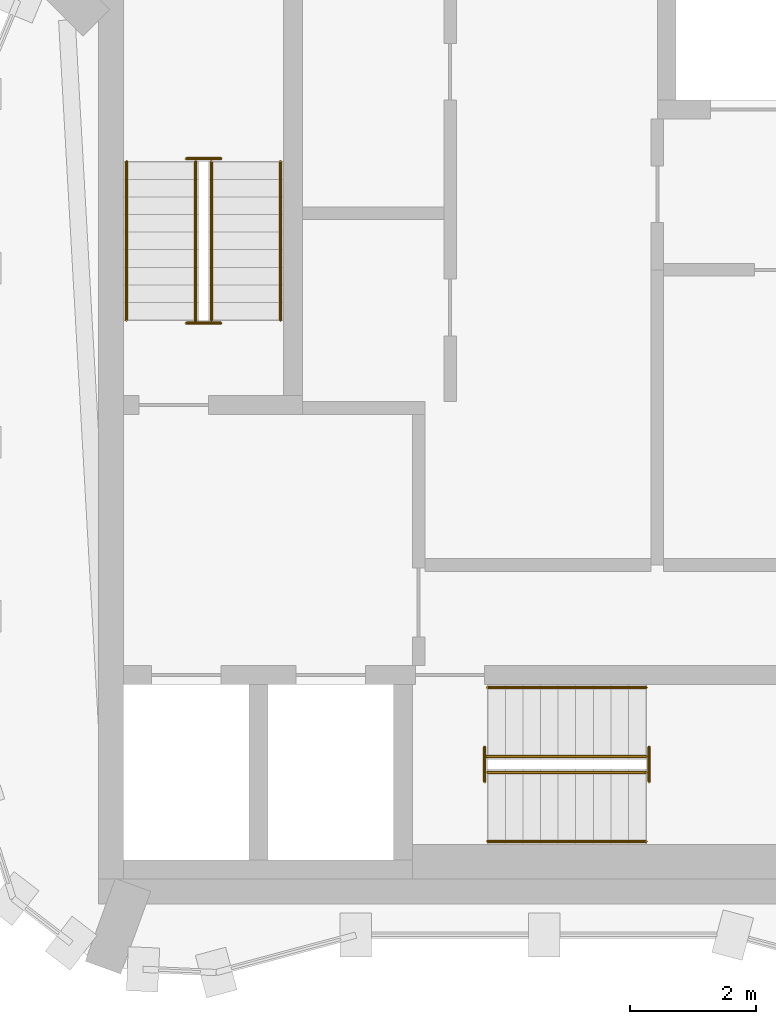
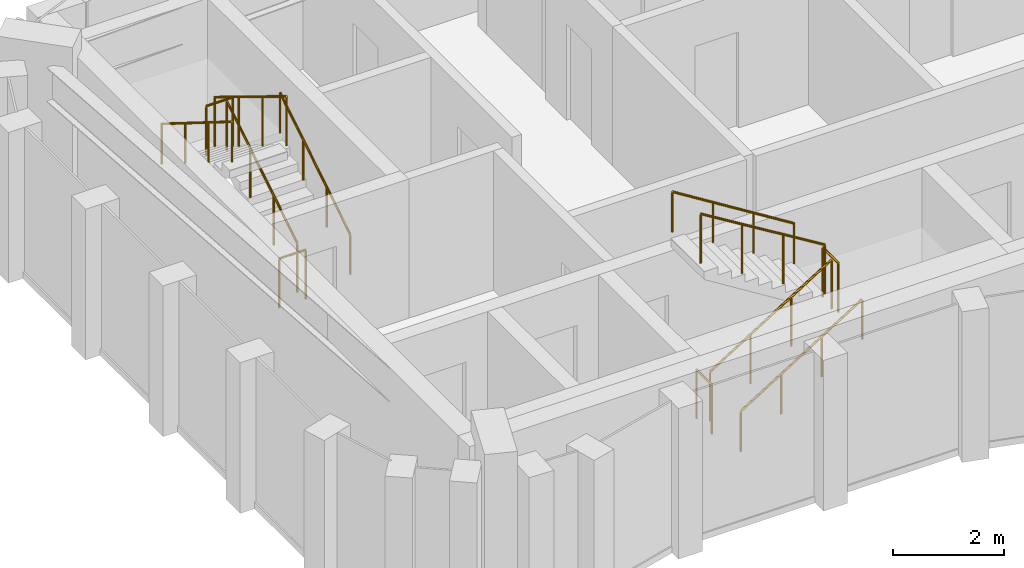
# One storey, part 5 of 5: 12 railings.
"""IFC4 building model written with IfcOpenShell, lengths in metres."""

from ifc_helpers import new_model, si_unit, direction, frame, origin, origin_2d, place, context, subcontext, project, spatial, circle, extrude, material, type_object, element, save


model = new_model("IFC4")

# Units and contexts
model_context = context("Model", 3, precision=1e-05, world=origin(), true_north=direction((0.0, 1.0)))
body_context = subcontext(model_context, "Body", "Model", "MODEL_VIEW")
ifc_project = project(units=[si_unit("LENGTHUNIT", "METRE"), si_unit("AREAUNIT", "SQUARE_METRE"), si_unit("VOLUMEUNIT", "CUBIC_METRE"), si_unit("PLANEANGLEUNIT", "RADIAN"), si_unit("MASSUNIT", "GRAM", prefix="KILO")], contexts=[model_context])

# Site, building, storey
site_placement = place(None, origin())
site = spatial("IfcSite", under=ifc_project, at=site_placement, CompositionType="ELEMENT")
building_placement = place(site_placement, origin())
building = spatial("IfcBuilding", under=site, at=building_placement, Name="Plateau Cross Towers", CompositionType="ELEMENT")
storey_placement = place(building_placement, frame((0.0, 0.0, 298.39990234375)))
storey = spatial("IfcBuildingStorey", under=building, at=storey_placement, Name="L79 Crown 2", CompositionType="ELEMENT", Elevation=298.39990234375)

# Railings
ifc_material_1 = material(Name="Stainless steel and toughened glass", Category="steel")
railing_type_1 = type_object("IfcRailingType", Name="RL-GUARD-1100", PredefinedType="GUARDRAIL", material=ifc_material_1)
railing_1_placement = place(storey_placement, frame((3.699951171875, 11.39990234375, 0.175048828125)))
element("IfcRailing", 1, at=railing_1_placement, inside=storey, type_object=railing_type_1, Name="L79 Crown 2 ST-1 stair guard 1", PredefinedType="GUARDRAIL", context=body_context, shape_type="SweptSolid", body=[
    extrude(circle(Radius=0.02392578125, at=origin_2d()), frame((0.0, 0.0, 1.076171875), z_axis=(0.0, 0.848007534815, 0.529984170421), x_axis=(-1.0, 0.0, 0.0)), (0.0, 0.0, 1.0), 2.9716796875),
    extrude(circle(Radius=0.02099609375, at=origin_2d()), origin(), (0.0, 0.0, 1.0), 1.052001953125),
    extrude(circle(Radius=0.02099609375, at=origin_2d()), frame((0.0, 0.840087890625, 0.52490234375)), (0.0, 0.0, 1.0), 1.052001953125),
    extrude(circle(Radius=0.02099609375, at=origin_2d()), frame((0.0, 1.679931640625, 1.050048828125)), (0.0, 0.0, 1.0), 1.052001953125),
    extrude(circle(Radius=0.02099609375, at=origin_2d()), frame((0.0, 2.52001953125, 1.574951171875)), (0.0, 0.0, 1.0), 1.052001953125),
])
railing_2_placement = place(storey_placement, frame((3.85009765625, 13.969970703125, 1.75)))
element("IfcRailing", 2, at=railing_2_placement, inside=storey, type_object=railing_type_1, Name="L79 Crown 2 ST-1 stair guard 2", PredefinedType="GUARDRAIL", context=body_context, shape_type="SweptSolid", body=[
    extrude(circle(Radius=0.02392578125, at=origin_2d()), frame((0.0, 0.0, 1.076171875), z_axis=(-1.0, 0.0, 0.0), x_axis=(0.0, -1.0, 0.0)), (0.0, 0.0, 1.0), 0.550048828125),
    extrude(circle(Radius=0.02099609375, at=origin_2d()), origin(), (0.0, 0.0, 1.0), 1.052001953125),
    extrude(circle(Radius=0.02099609375, at=origin_2d()), frame((-0.550048828125, 0.0, 0.0)), (0.0, 0.0, 1.0), 1.052001953125),
])
railing_3_placement = place(storey_placement, frame((3.449951171875, 13.919921875, 1.925048828125)))
element("IfcRailing", 3, at=railing_3_placement, inside=storey, type_object=railing_type_1, Name="L79 Crown 2 ST-1 stair guard 3", PredefinedType="GUARDRAIL", context=body_context, shape_type="SweptSolid", body=[
    extrude(circle(Radius=0.02392578125, at=origin_2d()), frame((0.0, 0.0, 1.076171875), z_axis=(0.0, -0.852616386126, 0.522537365276), x_axis=(1.0, 0.0, 0.0)), (0.0, 0.0, 1.0), 3.01416015625),
    extrude(circle(Radius=0.02099609375, at=origin_2d()), origin(), (0.0, 0.0, 1.0), 1.052001953125),
    extrude(circle(Radius=0.02099609375, at=origin_2d()), frame((0.0, -0.856689453125, 0.52490234375)), (0.0, 0.0, 1.0), 1.052001953125),
    extrude(circle(Radius=0.02099609375, at=origin_2d()), frame((0.0, -1.713134765625, 1.050048828125)), (0.0, 0.0, 1.0), 1.052001953125),
    extrude(circle(Radius=0.02099609375, at=origin_2d()), frame((0.0, -2.56982421875, 1.574951171875)), (0.0, 0.0, 1.0), 1.052001953125),
])
railing_4_placement = place(storey_placement, frame((3.85009765625, 11.35009765625, 0.0)))
element("IfcRailing", 4, at=railing_4_placement, inside=storey, type_object=railing_type_1, Name="L79 Crown 2 ST-1 stair guard 4", PredefinedType="GUARDRAIL", context=body_context, shape_type="SweptSolid", body=[
    extrude(circle(Radius=0.02392578125, at=origin_2d()), frame((0.0, 0.0, 1.076171875), z_axis=(-1.0, 0.0, 0.0), x_axis=(0.0, -1.0, 0.0)), (0.0, 0.0, 1.0), 0.550048828125),
    extrude(circle(Radius=0.02099609375, at=origin_2d()), origin(), (0.0, 0.0, 1.0), 1.052001953125),
    extrude(circle(Radius=0.02099609375, at=origin_2d()), frame((-0.550048828125, 0.0, 0.0)), (0.0, 0.0, 1.0), 1.052001953125),
])
railing_5_placement = place(storey_placement, frame((8.10009765625, 4.199951171875, 0.175048828125)))
element("IfcRailing", 5, at=railing_5_placement, inside=storey, type_object=railing_type_1, Name="L79 Crown 2 ST-2 stair guard 1", PredefinedType="GUARDRAIL", context=body_context, shape_type="SweptSolid", body=[
    extrude(circle(Radius=0.02392578125, at=origin_2d()), frame((0.0, 0.0, 1.076171875), z_axis=(0.848007534815, 0.0, 0.529984170421), x_axis=(0.0, 1.0, 0.0)), (0.0, 0.0, 1.0), 2.9716796875),
    extrude(circle(Radius=0.02099609375, at=origin_2d()), origin(), (0.0, 0.0, 1.0), 1.052001953125),
    extrude(circle(Radius=0.02099609375, at=origin_2d()), frame((0.840087890625, 0.0, 0.52490234375)), (0.0, 0.0, 1.0), 1.052001953125),
    extrude(circle(Radius=0.02099609375, at=origin_2d()), frame((1.679931640625, 0.0, 1.050048828125)), (0.0, 0.0, 1.0), 1.052001953125),
    extrude(circle(Radius=0.02099609375, at=origin_2d()), frame((2.52001953125, 0.0, 1.574951171875)), (0.0, 0.0, 1.0), 1.052001953125),
])
railing_6_placement = place(storey_placement, frame((10.669921875, 4.050048828125, 1.75)))
element("IfcRailing", 6, at=railing_6_placement, inside=storey, type_object=railing_type_1, Name="L79 Crown 2 ST-2 stair guard 2", PredefinedType="GUARDRAIL", context=body_context, shape_type="SweptSolid", body=[
    extrude(circle(Radius=0.02392578125, at=origin_2d()), frame((0.0, 0.0, 1.076171875), z_axis=(0.0, 1.0, 0.0), x_axis=(-1.0, 0.0, 0.0)), (0.0, 0.0, 1.0), 0.550048828125),
    extrude(circle(Radius=0.02099609375, at=origin_2d()), origin(), (0.0, 0.0, 1.0), 1.052001953125),
    extrude(circle(Radius=0.02099609375, at=origin_2d()), frame((0.0, 0.550048828125, 0.0)), (0.0, 0.0, 1.0), 1.052001953125),
])
railing_7_placement = place(storey_placement, frame((10.6201171875, 4.449951171875, 1.925048828125)))
element("IfcRailing", 7, at=railing_7_placement, inside=storey, type_object=railing_type_1, Name="L79 Crown 2 ST-2 stair guard 3", PredefinedType="GUARDRAIL", context=body_context, shape_type="SweptSolid", body=[
    extrude(circle(Radius=0.02392578125, at=origin_2d()), frame((0.0, 0.0, 1.076171875), z_axis=(-0.852638500773, 0.0, 0.522501279423), x_axis=(0.0, -1.0, 0.0)), (0.0, 0.0, 1.0), 3.01416015625),
    extrude(circle(Radius=0.02099609375, at=origin_2d()), origin(), (0.0, 0.0, 1.0), 1.052001953125),
    extrude(circle(Radius=0.02099609375, at=origin_2d()), frame((-0.856689453125, 0.0, 0.52490234375)), (0.0, 0.0, 1.0), 1.052001953125),
    extrude(circle(Radius=0.02099609375, at=origin_2d()), frame((-1.71337890625, 0.0, 1.050048828125)), (0.0, 0.0, 1.0), 1.052001953125),
    extrude(circle(Radius=0.02099609375, at=origin_2d()), frame((-2.570068359375, 0.0, 1.574951171875)), (0.0, 0.0, 1.0), 1.052001953125),
])
railing_8_placement = place(storey_placement, frame((8.050048828125, 4.050048828125, 0.0)))
element("IfcRailing", 8, at=railing_8_placement, inside=storey, type_object=railing_type_1, Name="L79 Crown 2 ST-2 stair guard 4", PredefinedType="GUARDRAIL", context=body_context, shape_type="SweptSolid", body=[
    extrude(circle(Radius=0.02392578125, at=origin_2d()), frame((0.0, 0.0, 1.076171875), z_axis=(0.0, 1.0, 0.0), x_axis=(-1.0, 0.0, 0.0)), (0.0, 0.0, 1.0), 0.550048828125),
    extrude(circle(Radius=0.02099609375, at=origin_2d()), origin(), (0.0, 0.0, 1.0), 1.052001953125),
    extrude(circle(Radius=0.02099609375, at=origin_2d()), frame((0.0, 0.550048828125, 0.0)), (0.0, 0.0, 1.0), 1.052001953125),
])
ifc_material_2 = material(Name="Black anodised aluminium", Category="aluminium")
railing_type_2 = type_object("IfcRailingType", Name="RL-HANDRAIL-900", PredefinedType="HANDRAIL", material=ifc_material_2)
railing_9_placement = place(storey_placement, frame((4.800048828125, 11.39990234375, 0.175048828125)))
element("IfcRailing", 9, at=railing_9_placement, inside=storey, type_object=railing_type_2, Name="L79 Crown 2 ST-1 stair handrail 1", PredefinedType="HANDRAIL", context=body_context, shape_type="SweptSolid", body=[
    extrude(circle(Radius=0.02392578125, at=origin_2d()), frame((0.0, 0.0, 0.8759765625), z_axis=(0.0, 0.848007534815, 0.529984170421), x_axis=(-1.0, 0.0, 0.0)), (0.0, 0.0, 1.0), 2.9716796875),
    extrude(circle(Radius=0.02099609375, at=origin_2d()), origin(), (0.0, 0.0, 1.0), 0.851806640625),
    extrude(circle(Radius=0.02099609375, at=origin_2d()), frame((0.0, 0.840087890625, 0.52490234375)), (0.0, 0.0, 1.0), 0.851806640625),
    extrude(circle(Radius=0.02099609375, at=origin_2d()), frame((0.0, 1.679931640625, 1.050048828125)), (0.0, 0.0, 1.0), 0.851806640625),
    extrude(circle(Radius=0.02099609375, at=origin_2d()), frame((0.0, 2.52001953125, 1.574951171875)), (0.0, 0.0, 1.0), 0.851806640625),
])
railing_10_placement = place(storey_placement, frame((2.35009765625, 13.919921875, 1.925048828125)))
element("IfcRailing", 10, at=railing_10_placement, inside=storey, type_object=railing_type_2, Name="L79 Crown 2 ST-1 stair handrail 2", PredefinedType="HANDRAIL", context=body_context, shape_type="SweptSolid", body=[
    extrude(circle(Radius=0.02392578125, at=origin_2d()), frame((0.0, 0.0, 0.8759765625), z_axis=(0.0, -0.848007534815, 0.529984170421), x_axis=(1.0, 0.0, 0.0)), (0.0, 0.0, 1.0), 2.9716796875),
    extrude(circle(Radius=0.02099609375, at=origin_2d()), origin(), (0.0, 0.0, 1.0), 0.851806640625),
    extrude(circle(Radius=0.02099609375, at=origin_2d()), frame((0.0, -0.840087890625, 0.52490234375)), (0.0, 0.0, 1.0), 0.851806640625),
    extrude(circle(Radius=0.02099609375, at=origin_2d()), frame((0.0, -1.679931640625, 1.050048828125)), (0.0, 0.0, 1.0), 0.851806640625),
    extrude(circle(Radius=0.02099609375, at=origin_2d()), frame((0.0, -2.52001953125, 1.574951171875)), (0.0, 0.0, 1.0), 0.851806640625),
])
railing_11_placement = place(storey_placement, frame((8.10009765625, 3.10009765625, 0.175048828125)))
element("IfcRailing", 11, at=railing_11_placement, inside=storey, type_object=railing_type_2, Name="L79 Crown 2 ST-2 stair handrail 1", PredefinedType="HANDRAIL", context=body_context, shape_type="SweptSolid", body=[
    extrude(circle(Radius=0.02392578125, at=origin_2d()), frame((0.0, 0.0, 0.8759765625), z_axis=(0.848007534815, 0.0, 0.529984170421), x_axis=(0.0, 1.0, 0.0)), (0.0, 0.0, 1.0), 2.9716796875),
    extrude(circle(Radius=0.02099609375, at=origin_2d()), origin(), (0.0, 0.0, 1.0), 0.851806640625),
    extrude(circle(Radius=0.02099609375, at=origin_2d()), frame((0.840087890625, 0.0, 0.52490234375)), (0.0, 0.0, 1.0), 0.851806640625),
    extrude(circle(Radius=0.02099609375, at=origin_2d()), frame((1.679931640625, 0.0, 1.050048828125)), (0.0, 0.0, 1.0), 0.851806640625),
    extrude(circle(Radius=0.02099609375, at=origin_2d()), frame((2.52001953125, 0.0, 1.574951171875)), (0.0, 0.0, 1.0), 0.851806640625),
])
railing_12_placement = place(storey_placement, frame((10.6201171875, 5.550048828125, 1.925048828125)))
element("IfcRailing", 12, at=railing_12_placement, inside=storey, type_object=railing_type_2, Name="L79 Crown 2 ST-2 stair handrail 2", PredefinedType="HANDRAIL", context=body_context, shape_type="SweptSolid", body=[
    extrude(circle(Radius=0.02392578125, at=origin_2d()), frame((0.0, 0.0, 0.8759765625), z_axis=(-0.848007534815, 0.0, 0.529984170421), x_axis=(0.0, -1.0, 0.0)), (0.0, 0.0, 1.0), 2.9716796875),
    extrude(circle(Radius=0.02099609375, at=origin_2d()), origin(), (0.0, 0.0, 1.0), 0.851806640625),
    extrude(circle(Radius=0.02099609375, at=origin_2d()), frame((-0.840087890625, 0.0, 0.52490234375)), (0.0, 0.0, 1.0), 0.851806640625),
    extrude(circle(Radius=0.02099609375, at=origin_2d()), frame((-1.679931640625, 0.0, 1.050048828125)), (0.0, 0.0, 1.0), 0.851806640625),
    extrude(circle(Radius=0.02099609375, at=origin_2d()), frame((-2.52001953125, 0.0, 1.574951171875)), (0.0, 0.0, 1.0), 0.851806640625),
])

save(model, "model.ifc")
